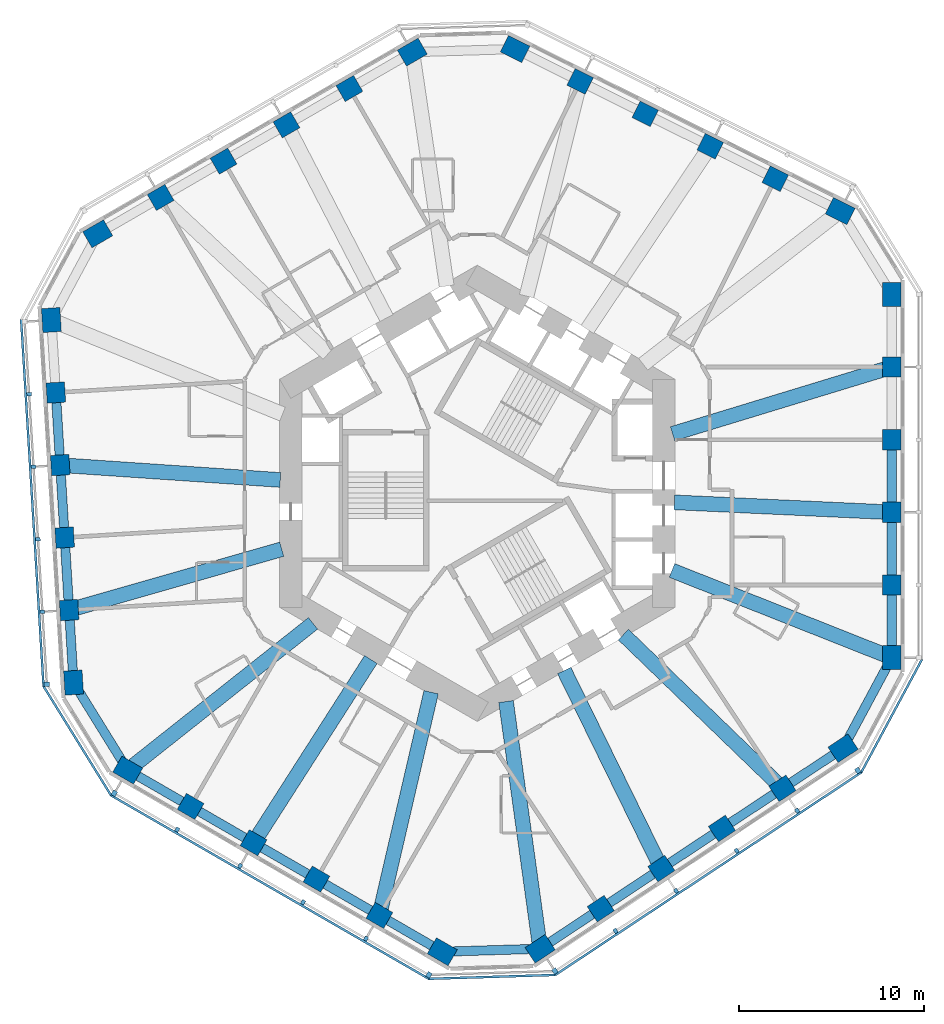
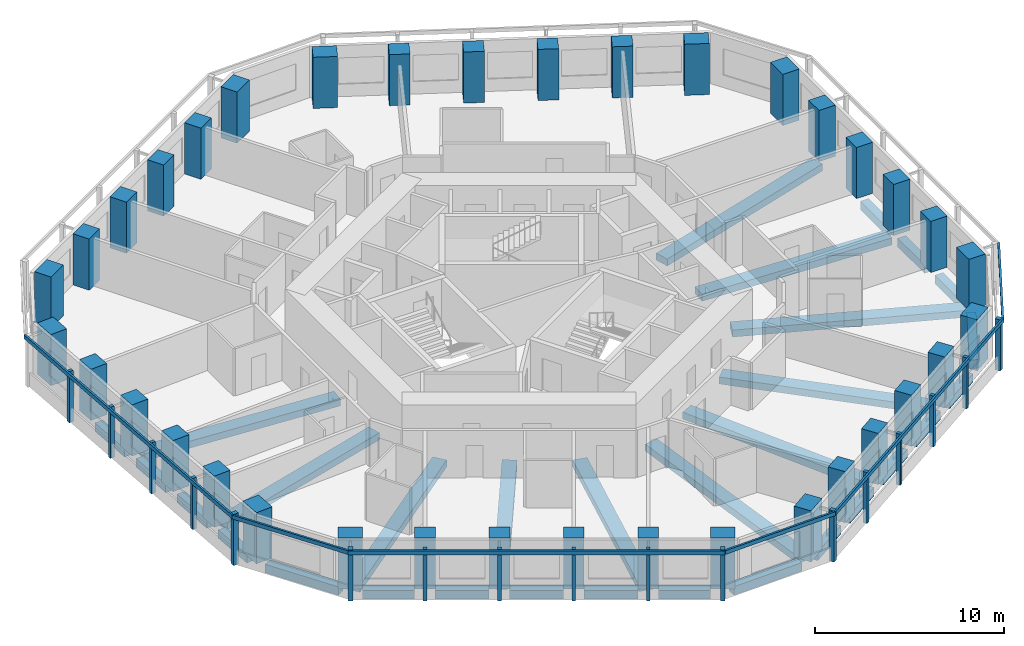
# One storey, part 1 of 11: 36 columns, 31 beams, 23 members, 6 elements without a shape of their own.
"""IFC4 building model written with IfcOpenShell, lengths in metres."""

from ifc_helpers import new_model, si_unit, direction, frame, origin, origin_2d, place, context, subcontext, project, spatial, rectangle, extrude, material, material_profile, profile_set, type_object, element, aggregate, save


model = new_model("IFC4")

# Units and contexts
model_context = context("Model", 3, precision=1e-05, world=origin(), true_north=direction((0.0, 1.0)))
body_context = subcontext(model_context, "Body", "Model", "MODEL_VIEW")
ifc_project = project(units=[si_unit("LENGTHUNIT", "METRE"), si_unit("AREAUNIT", "SQUARE_METRE"), si_unit("VOLUMEUNIT", "CUBIC_METRE"), si_unit("PLANEANGLEUNIT", "RADIAN"), si_unit("MASSUNIT", "GRAM", prefix="KILO")], contexts=[model_context])

# Site, building, storey
site_placement = place(None, origin())
site = spatial("IfcSite", under=ifc_project, at=site_placement, CompositionType="ELEMENT")
building_placement = place(site_placement, origin())
building = spatial("IfcBuilding", under=site, at=building_placement, Name="Vanh Sen Convention Tower", CompositionType="ELEMENT")
storey_placement = place(building_placement, frame((0.0, 0.0, 100.10009765625)))
storey = spatial("IfcBuildingStorey", under=building, at=storey_placement, Name="L23", CompositionType="ELEMENT", Elevation=100.10009765625)

# Columns
ifc_material_1 = material(Name="Concrete C80/95", Category="concrete")
ifc_material_profile_1 = material_profile(ifc_material_1, rectangle(XDim=1.10009765625, YDim=1.0, at=origin_2d()), Name="RC 1100X1000")
ifc_profile_set_1 = profile_set([ifc_material_profile_1], Name="Concrete C80/95")
column_type_1 = type_object("IfcColumnType", Name="Facade column 1100 x 1000 C80/95", PredefinedType="COLUMN", material=ifc_profile_set_1)
for number, where, z_axis, x_axis, name in (
    (1, (22.449951171875, -4.964599609375, 0.0), (0.0, 0.0, 1.0), (0.0, 1.0, 0.0), "Facade column 02 L23"),
    (2, (22.449951171875, -1.030029296875, 0.0), (0.0, 0.0, 1.0), (0.0, 1.0, 0.0), "Facade column 03 L23"),
    (3, (22.449951171875, 2.904541015625, 0.0), (0.0, 0.0, 1.0), (0.0, 1.0, 0.0), "Facade column 04 L23"),
    (4, (22.449951171875, 6.839111328125, 0.0), (0.0, 0.0, 1.0), (0.0, 1.0, 0.0), "Facade column 05 L23"),
    (5, (16.1376953125, 17.039794921875, 0.0), (0.0, 0.0, 1.0), (-0.894934361602, 0.44619781311, 0.0), "Facade column 08 L23"),
    (6, (12.616455078125, 18.79541015625, 0.0), (0.0, 0.0, 1.0), (-0.894934361602, 0.44619781311, 0.0), "Facade column 09 L23"),
    (7, (9.09521484375, 20.55078125, 0.0), (0.0, 0.0, 1.0), (-0.894934361602, 0.44619781311, 0.0), "Facade column 10 L23"),
    (8, (5.57421875, 22.306396484375, 0.0), (0.0, 0.0, 1.0), (-0.894934361602, 0.44619781311, 0.0), "Facade column 11 L23"),
    (9, (-6.925537109375, 21.924560546875, 0.0), (0.0, 0.0, 1.0), (-0.866025403784, -0.5, 0.0), "Facade column 14 L23"),
    (10, (-10.3330078125, 19.957275390625, 0.0), (0.0, 0.0, 1.0), (-0.866025403784, -0.5, 0.0), "Facade column 15 L23"),
    (11, (-13.740478515625, 17.989990234375, 0.0), (0.0, 0.0, 1.0), (-0.866025403784, -0.5, 0.0), "Facade column 16 L23"),
    (12, (-17.14794921875, 16.022705078125, 0.0), (0.0, 0.0, 1.0), (-0.866025403784, -0.5, 0.0), "Facade column 17 L23"),
    (13, (-22.82568359375, 5.455810546875, 0.0), (0.0, 0.0, 1.0), (0.061048539535, -0.998134798422, 0.0), "Facade column 20 L23"),
    (14, (-22.58544921875, 1.528564453125, 0.0), (0.0, 0.0, 1.0), (0.061048539535, -0.998134798422, 0.0), "Facade column 21 L23"),
    (15, (-22.34521484375, -2.398681640625, 0.0), (0.0, 0.0, 1.0), (0.061048539535, -0.998134798422, 0.0), "Facade column 22 L23"),
    (16, (-22.10498046875, -6.325927734375, 0.0), (0.0, 0.0, 1.0), (0.061048539535, -0.998134798422, 0.0), "Facade column 23 L23"),
    (17, (-15.5244140625, -16.9599609375, 0.0), (0.0, 0.0, 1.0), (0.866025403784, -0.5, 0.0), "Facade column 26 L23"),
    (18, (-12.1171875, -18.92724609375, 0.0), (0.0, 0.0, 1.0), (0.866025403784, -0.5, 0.0), "Facade column 27 L23"),
    (19, (-8.709716796875, -20.89453125, 0.0), (0.0, 0.0, 1.0), (0.866025403784, -0.5, 0.0), "Facade column 28 L23"),
    (20, (-5.302001953125, -22.86181640625, 0.0), (0.0, 0.0, 1.0), (0.866025403784, -0.5, 0.0), "Facade column 29 L23"),
    (21, (6.68798828125, -22.49560546875, 0.0), (0.0, 0.0, 1.0), (0.833885822067, 0.551936985312, 0.0), "Facade column 32 L23"),
    (22, (9.968994140625, -20.323974609375, 0.0), (0.0, 0.0, 1.0), (0.833885822067, 0.551936985312, 0.0), "Facade column 33 L23"),
    (23, (13.25, -18.152099609375, 0.0), (0.0, 0.0, 1.0), (0.833885822067, 0.551936985312, 0.0), "Facade column 34 L23"),
    (24, (16.531005859375, -15.980712890625, 0.0), (0.0, 0.0, 1.0), (0.833885822067, 0.551936985312, 0.0), "Facade column 35 L23"),
):
    element("IfcColumn", number, at=place(storey_placement, frame(where, z_axis=z_axis, x_axis=x_axis)), inside=storey, type_object=column_type_1, Name=name, PredefinedType="COLUMN", context=body_context, shape_type="SweptSolid", body=[
        extrude(rectangle(XDim=1.10009765625, YDim=1.0, at=origin_2d()), origin(), (0.0, 0.0, 1.0), 3.2998046875),
    ])
ifc_material_profile_2 = material_profile(ifc_material_1, rectangle(XDim=1.300048828125, YDim=1.0, at=origin_2d()), Name="RC 1300X1000")
ifc_profile_set_2 = profile_set([ifc_material_profile_2], Name="Concrete C80/95")
column_type_2 = type_object("IfcColumnType", Name="Facade corner column 1300 x 1000 C80/95", PredefinedType="COLUMN", material=ifc_profile_set_2)
for number, where, z_axis, x_axis, name in (
    (25, (22.449951171875, -8.899169921875, 0.0), (0.0, 0.0, 1.0), (0.0, 1.0, 0.0), "Facade column 01 L23"),
    (26, (22.449951171875, 10.773681640625, 0.0), (0.0, 0.0, 1.0), (0.0, 1.0, 0.0), "Facade column 06 L23"),
    (27, (19.658935546875, 15.2841796875, 0.0), (0.0, 0.0, 1.0), (-0.894934361602, 0.44619781311, 0.0), "Facade column 07 L23"),
    (28, (2.052978515625, 24.06201171875, 0.0), (0.0, 0.0, 1.0), (-0.894934361602, 0.44619781311, 0.0), "Facade column 12 L23"),
    (29, (-3.51806640625, 23.891845703125, 0.0), (0.0, 0.0, 1.0), (-0.866025403784, -0.5, 0.0), "Facade column 13 L23"),
    (30, (-20.555419921875, 14.055419921875, 0.0), (0.0, 0.0, 1.0), (-0.866025403784, -0.5, 0.0), "Facade column 18 L23"),
    (31, (-23.06591796875, 9.383056640625, 0.0), (0.0, 0.0, 1.0), (0.061048539535, -0.998134798422, 0.0), "Facade column 19 L23"),
    (32, (-21.86474609375, -10.253173828125, 0.0), (0.0, 0.0, 1.0), (0.061048539535, -0.998134798422, 0.0), "Facade column 24 L23"),
    (33, (-18.931884765625, -14.99267578125, 0.0), (0.0, 0.0, 1.0), (0.866025403784, -0.5, 0.0), "Facade column 25 L23"),
    (34, (-1.894775390625, -24.8291015625, 0.0), (0.0, 0.0, 1.0), (0.866025403784, -0.5, 0.0), "Facade column 30 L23"),
    (35, (3.406982421875, -24.6669921875, 0.0), (0.0, 0.0, 1.0), (0.833885822067, 0.551936985312, 0.0), "Facade column 31 L23"),
    (36, (19.81201171875, -13.808837890625, 0.0), (0.0, 0.0, 1.0), (0.833885822067, 0.551936985312, 0.0), "Facade column 36 L23"),
):
    element("IfcColumn", number, at=place(storey_placement, frame(where, z_axis=z_axis, x_axis=x_axis)), inside=storey, type_object=column_type_2, Name=name, PredefinedType="COLUMN", context=body_context, shape_type="SweptSolid", body=[
        extrude(rectangle(XDim=1.300048828125, YDim=1.0, at=origin_2d()), origin(), (0.0, 0.0, 1.0), 3.2998046875),
    ])

# Curtain wall, member
ifc_material_2 = material(Name="Concrete C50/60", Category="concrete")
curtain_wall_type = type_object("IfcCurtainWallType", Name="Outer skin hotel zone", PredefinedType="NOTDEFINED", material=ifc_material_2)
curtain_wall_1_placement = place(storey_placement, origin())
curtain_wall_1 = element("IfcCurtainWall", 37, at=curtain_wall_1_placement, inside=storey, type_object=curtain_wall_type, Name="OUTER SKIN W L23", PredefinedType="NOTDEFINED")
ifc_material_profile_3 = material_profile(ifc_material_2, rectangle(XDim=0.25, YDim=0.300048828125, at=origin_2d()), Name="Outer skin precast corner fin 250 x 300")
ifc_profile_set_3 = profile_set([ifc_material_profile_3], Name="Concrete C50/60")
member_type_1 = type_object("IfcMemberType", Name="Outer skin precast corner fin 250 x 300", PredefinedType="MULLION", material=ifc_profile_set_3)
member_1_placement = place(storey_placement, frame((-23.31201171875, -10.341796875, 0.0), z_axis=(0.0, 0.0, 1.0), x_axis=(0.061048539535, -0.998134798422, 0.0)))
member_1 = element("IfcMember", 38, at=member_1_placement, type_object=member_type_1, Name="OUTER SKIN CORNER FIN 6 W L23", PredefinedType="MULLION", context=body_context, shape_type="SweptSolid", body=[
    extrude(rectangle(XDim=0.25, YDim=0.300048828125, at=origin_2d()), origin(), (0.0, 0.0, 1.0), 3.2998046875),
])

# Curtain wall, members
curtain_wall_2_placement = place(storey_placement, origin())
curtain_wall_2 = element("IfcCurtainWall", 39, at=curtain_wall_2_placement, inside=storey, type_object=curtain_wall_type, Name="OUTER SKIN SW L23", PredefinedType="NOTDEFINED")
member_2_placement = place(storey_placement, frame((-19.656982421875, -16.248291015625, 0.0), z_axis=(0.0, 0.0, 1.0), x_axis=(0.866025403784, -0.5, 0.0)))
member_2 = element("IfcMember", 40, at=member_2_placement, type_object=member_type_1, Name="OUTER SKIN CORNER FIN 1 SW L23", PredefinedType="MULLION", context=body_context, shape_type="SweptSolid", body=[
    extrude(rectangle(XDim=0.25, YDim=0.300048828125, at=origin_2d()), origin(), (0.0, 0.0, 1.0), 3.2998046875),
])
member_3_placement = place(storey_placement, frame((-2.61962890625, -26.084716796875, 0.0), z_axis=(0.0, 0.0, 1.0), x_axis=(0.866025403784, -0.5, 0.0)))
member_3 = element("IfcMember", 41, at=member_3_placement, type_object=member_type_1, Name="OUTER SKIN CORNER FIN 6 SW L23", PredefinedType="MULLION", context=body_context, shape_type="SweptSolid", body=[
    extrude(rectangle(XDim=0.25, YDim=0.300048828125, at=origin_2d()), origin(), (0.0, 0.0, 1.0), 3.2998046875),
])

curtain_wall_3_placement = place(storey_placement, origin())
curtain_wall_3 = element("IfcCurtainWall", 42, at=curtain_wall_3_placement, inside=storey, type_object=curtain_wall_type, Name="OUTER SKIN SE L23", PredefinedType="NOTDEFINED")
member_4_placement = place(storey_placement, frame((4.207275390625, -25.876220703125, 0.0), z_axis=(0.0, 0.0, 1.0), x_axis=(0.833885822067, 0.551936985312, 0.0)))
member_4 = element("IfcMember", 43, at=member_4_placement, type_object=member_type_1, Name="OUTER SKIN CORNER FIN 1 SE L23", PredefinedType="MULLION", context=body_context, shape_type="SweptSolid", body=[
    extrude(rectangle(XDim=0.25, YDim=0.300048828125, at=origin_2d()), origin(), (0.0, 0.0, 1.0), 3.2998046875),
])
member_5_placement = place(storey_placement, frame((20.6123046875, -15.01806640625, 0.0), z_axis=(0.0, 0.0, 1.0), x_axis=(0.833885822067, 0.551936985312, 0.0)))
member_5 = element("IfcMember", 44, at=member_5_placement, type_object=member_type_1, Name="OUTER SKIN CORNER FIN 6 SE L23", PredefinedType="MULLION", context=body_context, shape_type="SweptSolid", body=[
    extrude(rectangle(XDim=0.25, YDim=0.300048828125, at=origin_2d()), origin(), (0.0, 0.0, 1.0), 3.2998046875),
])

# Member
ifc_material_profile_4 = material_profile(ifc_material_2, rectangle(XDim=0.199951171875, YDim=0.25, at=origin_2d()), Name="Outer skin precast fin 200 x 250")
ifc_profile_set_4 = profile_set([ifc_material_profile_4], Name="Concrete C50/60")
member_type_2 = type_object("IfcMemberType", Name="Outer skin precast fin 200 x 250", PredefinedType="MULLION", material=ifc_profile_set_4)
member_6_placement = place(storey_placement, frame((-24.27294921875, 5.3671875, 0.0), z_axis=(0.0, 0.0, 1.0), x_axis=(0.061048539535, -0.998134798422, 0.0)))
member_6 = element("IfcMember", 45, at=member_6_placement, type_object=member_type_2, Name="OUTER SKIN fin 2 W L23", PredefinedType="MULLION", context=body_context, shape_type="SweptSolid", body=[
    extrude(rectangle(XDim=0.199951171875, YDim=0.25, at=origin_2d()), origin(), (0.0, 0.0, 1.0), 3.2998046875),
])

member_7_placement = place(storey_placement, frame((-24.03271484375, 1.440185546875, 0.0), z_axis=(0.0, 0.0, 1.0), x_axis=(0.061048539535, -0.998134798422, 0.0)))
member_7 = element("IfcMember", 46, at=member_7_placement, type_object=member_type_2, Name="OUTER SKIN fin 3 W L23", PredefinedType="MULLION", context=body_context, shape_type="SweptSolid", body=[
    extrude(rectangle(XDim=0.199951171875, YDim=0.25, at=origin_2d()), origin(), (0.0, 0.0, 1.0), 3.2998046875),
])

member_8_placement = place(storey_placement, frame((-23.79248046875, -2.4873046875, 0.0), z_axis=(0.0, 0.0, 1.0), x_axis=(0.061048539535, -0.998134798422, 0.0)))
member_8 = element("IfcMember", 47, at=member_8_placement, type_object=member_type_2, Name="OUTER SKIN fin 4 W L23", PredefinedType="MULLION", context=body_context, shape_type="SweptSolid", body=[
    extrude(rectangle(XDim=0.199951171875, YDim=0.25, at=origin_2d()), origin(), (0.0, 0.0, 1.0), 3.2998046875),
])

member_9_placement = place(storey_placement, frame((-23.55224609375, -6.414306640625, 0.0), z_axis=(0.0, 0.0, 1.0), x_axis=(0.061048539535, -0.998134798422, 0.0)))
member_9 = element("IfcMember", 48, at=member_9_placement, type_object=member_type_2, Name="OUTER SKIN fin 5 W L23", PredefinedType="MULLION", context=body_context, shape_type="SweptSolid", body=[
    extrude(rectangle(XDim=0.199951171875, YDim=0.25, at=origin_2d()), origin(), (0.0, 0.0, 1.0), 3.2998046875),
])

member_10_placement = place(storey_placement, frame((-16.24951171875, -18.2158203125, 0.0), z_axis=(0.0, 0.0, 1.0), x_axis=(0.866025403784, -0.5, 0.0)))
member_10 = element("IfcMember", 49, at=member_10_placement, type_object=member_type_2, Name="OUTER SKIN fin 2 SW L23", PredefinedType="MULLION", context=body_context, shape_type="SweptSolid", body=[
    extrude(rectangle(XDim=0.199951171875, YDim=0.25, at=origin_2d()), origin(), (0.0, 0.0, 1.0), 3.2998046875),
])

member_11_placement = place(storey_placement, frame((-12.842041015625, -20.182861328125, 0.0), z_axis=(0.0, 0.0, 1.0), x_axis=(0.866025403784, -0.5, 0.0)))
member_11 = element("IfcMember", 50, at=member_11_placement, type_object=member_type_2, Name="OUTER SKIN fin 3 SW L23", PredefinedType="MULLION", context=body_context, shape_type="SweptSolid", body=[
    extrude(rectangle(XDim=0.199951171875, YDim=0.25, at=origin_2d()), origin(), (0.0, 0.0, 1.0), 3.2998046875),
])

member_12_placement = place(storey_placement, frame((-9.4345703125, -22.150146484375, 0.0), z_axis=(0.0, 0.0, 1.0), x_axis=(0.866025403784, -0.5, 0.0)))
member_12 = element("IfcMember", 51, at=member_12_placement, type_object=member_type_2, Name="OUTER SKIN fin 4 SW L23", PredefinedType="MULLION", context=body_context, shape_type="SweptSolid", body=[
    extrude(rectangle(XDim=0.199951171875, YDim=0.25, at=origin_2d()), origin(), (0.0, 0.0, 1.0), 3.2998046875),
])

member_13_placement = place(storey_placement, frame((-6.027099609375, -24.117431640625, 0.0), z_axis=(0.0, 0.0, 1.0), x_axis=(0.866025403784, -0.5, 0.0)))
member_13 = element("IfcMember", 52, at=member_13_placement, type_object=member_type_2, Name="OUTER SKIN fin 5 SW L23", PredefinedType="MULLION", context=body_context, shape_type="SweptSolid", body=[
    extrude(rectangle(XDim=0.199951171875, YDim=0.25, at=origin_2d()), origin(), (0.0, 0.0, 1.0), 3.2998046875),
])

member_14_placement = place(storey_placement, frame((7.48828125, -23.70458984375, 0.0), z_axis=(0.0, 0.0, 1.0), x_axis=(0.833885822067, 0.551936985312, 0.0)))
member_14 = element("IfcMember", 53, at=member_14_placement, type_object=member_type_2, Name="OUTER SKIN fin 2 SE L23", PredefinedType="MULLION", context=body_context, shape_type="SweptSolid", body=[
    extrude(rectangle(XDim=0.199951171875, YDim=0.25, at=origin_2d()), origin(), (0.0, 0.0, 1.0), 3.2998046875),
])

member_15_placement = place(storey_placement, frame((10.769287109375, -21.532958984375, 0.0), z_axis=(0.0, 0.0, 1.0), x_axis=(0.833885822067, 0.551936985312, 0.0)))
member_15 = element("IfcMember", 54, at=member_15_placement, type_object=member_type_2, Name="OUTER SKIN fin 3 SE L23", PredefinedType="MULLION", context=body_context, shape_type="SweptSolid", body=[
    extrude(rectangle(XDim=0.199951171875, YDim=0.25, at=origin_2d()), origin(), (0.0, 0.0, 1.0), 3.2998046875),
])

member_16_placement = place(storey_placement, frame((14.05029296875, -19.361328125, 0.0), z_axis=(0.0, 0.0, 1.0), x_axis=(0.833885822067, 0.551936985312, 0.0)))
member_16 = element("IfcMember", 55, at=member_16_placement, type_object=member_type_2, Name="OUTER SKIN fin 4 SE L23", PredefinedType="MULLION", context=body_context, shape_type="SweptSolid", body=[
    extrude(rectangle(XDim=0.199951171875, YDim=0.25, at=origin_2d()), origin(), (0.0, 0.0, 1.0), 3.2998046875),
])

member_17_placement = place(storey_placement, frame((17.331298828125, -17.189697265625, 0.0), z_axis=(0.0, 0.0, 1.0), x_axis=(0.833885822067, 0.551936985312, 0.0)))
member_17 = element("IfcMember", 56, at=member_17_placement, type_object=member_type_2, Name="OUTER SKIN fin 5 SE L23", PredefinedType="MULLION", context=body_context, shape_type="SweptSolid", body=[
    extrude(rectangle(XDim=0.199951171875, YDim=0.25, at=origin_2d()), origin(), (0.0, 0.0, 1.0), 3.2998046875),
])

ifc_material_profile_5 = material_profile(ifc_material_2, rectangle(XDim=0.1201171875, YDim=0.25, at=origin_2d()), Name="Outer skin precast spandrel band 250 x 120")
ifc_profile_set_5 = profile_set([ifc_material_profile_5], Name="Concrete C50/60")
member_type_3 = type_object("IfcMemberType", Name="Outer skin precast spandrel band 250 x 120", PredefinedType="USERDEFINED", material=ifc_profile_set_5)
member_18_placement = place(storey_placement, frame((-24.705322265625, 9.408203125, 3.1748046875), z_axis=(0.061050017989, -0.998134707995, 0.0), x_axis=(0.998134707995, 0.061050017989, 0.0)))
member_18 = element("IfcMember", 57, at=member_18_placement, type_object=member_type_3, Name="OUTER SKIN spandrel band W L23", ObjectType="TRANSOM", PredefinedType="USERDEFINED", context=body_context, shape_type="SweptSolid", body=[
    extrude(rectangle(XDim=0.1201171875, YDim=0.25, at=origin_2d()), origin(), (0.0, 0.0, 1.0), 19.923095703125),
])

aggregate(curtain_wall_1, [member_6, member_7, member_8, member_9, member_1, member_18])

# Curtain wall, member
curtain_wall_4_placement = place(storey_placement, origin())
curtain_wall_4 = element("IfcCurtainWall", 58, at=curtain_wall_4_placement, inside=storey, type_object=curtain_wall_type, Name="OUTER SKIN CH4 L23", PredefinedType="NOTDEFINED")
member_19_placement = place(storey_placement, frame((-23.49072265625, -10.4521484375, 3.1748046875), z_axis=(0.526196095141, -0.850363257354, 0.0), x_axis=(0.850363257354, 0.526196095141, 0.0)))
member_19 = element("IfcMember", 59, at=member_19_placement, type_object=member_type_3, Name="OUTER SKIN spandrel band CH4 L23", ObjectType="TRANSOM", PredefinedType="USERDEFINED", context=body_context, shape_type="SweptSolid", body=[
    extrude(rectangle(XDim=0.1201171875, YDim=0.25, at=origin_2d()), origin(), (0.0, 0.0, 1.0), 6.946044921875),
])
aggregate(curtain_wall_4, [member_19])

# Member
member_20_placement = place(storey_placement, frame((-19.85791015625, -16.34619140625, 3.1748046875), z_axis=(0.866028047459, -0.499995420993, 0.0), x_axis=(0.499995420993, 0.866028047459, 0.0)))
member_20 = element("IfcMember", 60, at=member_20_placement, type_object=member_type_3, Name="OUTER SKIN spandrel band SW L23", ObjectType="TRANSOM", PredefinedType="USERDEFINED", context=body_context, shape_type="SweptSolid", body=[
    extrude(rectangle(XDim=0.1201171875, YDim=0.25, at=origin_2d()), origin(), (0.0, 0.0, 1.0), 19.923095703125),
])

aggregate(curtain_wall_2, [member_2, member_10, member_11, member_12, member_13, member_3, member_20])

# Curtain wall, member
curtain_wall_5_placement = place(storey_placement, origin())
curtain_wall_5 = element("IfcCurtainWall", 61, at=curtain_wall_5_placement, inside=storey, type_object=curtain_wall_type, Name="OUTER SKIN CH5 L23", PredefinedType="NOTDEFINED")
member_21_placement = place(storey_placement, frame((-2.61328125, -26.294677734375, 3.1748046875), z_axis=(0.99953396928, 0.030526124156, 0.0), x_axis=(-0.030526124156, 0.99953396928, 0.0)))
member_21 = element("IfcMember", 62, at=member_21_placement, type_object=member_type_3, Name="OUTER SKIN spandrel band CH5 L23", ObjectType="TRANSOM", PredefinedType="USERDEFINED", context=body_context, shape_type="SweptSolid", body=[
    extrude(rectangle(XDim=0.1201171875, YDim=0.25, at=origin_2d()), origin(), (0.0, 0.0, 1.0), 6.830078125),
])
aggregate(curtain_wall_5, [member_21])

# Member
member_22_placement = place(storey_placement, frame((4.205078125, -26.099609375, 3.1748046875), z_axis=(0.833883851182, 0.551939962984, 0.0), x_axis=(-0.551939962984, 0.833883851182, 0.0)))
member_22 = element("IfcMember", 63, at=member_22_placement, type_object=member_type_3, Name="OUTER SKIN spandrel band SE L23", ObjectType="TRANSOM", PredefinedType="USERDEFINED", context=body_context, shape_type="SweptSolid", body=[
    extrude(rectangle(XDim=0.1201171875, YDim=0.25, at=origin_2d()), origin(), (0.0, 0.0, 1.0), 19.923095703125),
])

aggregate(curtain_wall_3, [member_4, member_14, member_15, member_16, member_17, member_5, member_22])

# Curtain wall, member
curtain_wall_6_placement = place(storey_placement, origin())
curtain_wall_6 = element("IfcCurtainWall", 64, at=curtain_wall_6_placement, inside=storey, type_object=curtain_wall_type, Name="OUTER SKIN CH6 L23", PredefinedType="NOTDEFINED")
member_23_placement = place(storey_placement, frame((20.797119140625, -15.117431640625, 3.1748046875), z_axis=(0.473324148816, 0.880888330123, 0.0), x_axis=(-0.880888330123, 0.473324148816, 0.0)))
member_23 = element("IfcMember", 65, at=member_23_placement, type_object=member_type_3, Name="OUTER SKIN spandrel band CH6 L23", ObjectType="TRANSOM", PredefinedType="USERDEFINED", context=body_context, shape_type="SweptSolid", body=[
    extrude(rectangle(XDim=0.1201171875, YDim=0.25, at=origin_2d()), origin(), (0.0, 0.0, 1.0), 6.9462890625),
])
aggregate(curtain_wall_6, [member_23])

# Beams
ifc_material_3 = material(Name="Concrete C50/60", Category="concrete")
ifc_material_profile_6 = material_profile(ifc_material_3, rectangle(XDim=0.800048828125, YDim=0.449951171875, at=origin_2d()), Name="RC 800X450")
ifc_profile_set_6 = profile_set([ifc_material_profile_6], Name="Concrete C50/60")
beam_type_1 = type_object("IfcBeamType", Name="Radial floor beam 800 x 450", PredefinedType="BEAM", material=ifc_profile_set_6)
beam_1_placement = place(storey_placement, frame((22.10205078125, -8.76123046875, -0.47509765625), z_axis=(-0.929623737454, 0.368510117584, 0.0), x_axis=(-0.368510117584, -0.929623737454, 0.0)))
element("IfcBeam", 66, at=beam_1_placement, inside=storey, type_object=beam_type_1, Name="Radial beam 01 L23", PredefinedType="BEAM", context=body_context, shape_type="SweptSolid", body=[
    extrude(rectangle(XDim=0.800048828125, YDim=0.449951171875, at=origin_2d()), origin(), (0.0, 0.0, 1.0), 12.4287109375),
])
beam_2_placement = place(storey_placement, frame((21.973388671875, -1.00830078125, -0.47509765625), z_axis=(-0.998949085964, 0.045833651953, 0.0), x_axis=(-0.045833651953, -0.998949085964, 0.0)))
element("IfcBeam", 67, at=beam_2_placement, inside=storey, type_object=beam_type_1, Name="Radial beam 02 L23", PredefinedType="BEAM", context=body_context, shape_type="SweptSolid", body=[
    extrude(rectangle(XDim=0.800048828125, YDim=0.449951171875, at=origin_2d()), origin(), (0.0, 0.0, 1.0), 11.30859375),
])
beam_3_placement = place(storey_placement, frame((22.0712890625, 6.7236328125, -0.47509765625), z_axis=(-0.956599525752, -0.29140581211, 0.0), x_axis=(0.29140581211, -0.956599525752, 0.0)))
element("IfcBeam", 68, at=beam_3_placement, inside=storey, type_object=beam_type_1, Name="Radial beam 03 L23", PredefinedType="BEAM", context=body_context, shape_type="SweptSolid", body=[
    extrude(rectangle(XDim=0.800048828125, YDim=0.449951171875, at=origin_2d()), origin(), (0.0, 0.0, 1.0), 12.01416015625),
])
beam_4_placement = place(storey_placement, frame((-22.138916015625, 1.498291015625, -0.47509765625), z_axis=(0.997717468066, -0.0675266904, 0.0), x_axis=(0.0675266904, 0.997717468066, 0.0)))
element("IfcBeam", 69, at=beam_4_placement, inside=storey, type_object=beam_type_1, Name="Radial beam 11 L23", PredefinedType="BEAM", context=body_context, shape_type="SweptSolid", body=[
    extrude(rectangle(XDim=0.800048828125, YDim=0.449951171875, at=origin_2d()), origin(), (0.0, 0.0, 1.0), 11.4970703125),
])
beam_5_placement = place(storey_placement, frame((-21.70263671875, -6.210693359375, -0.47509765625), z_axis=(0.96140993594, 0.275119855837, 0.0), x_axis=(-0.275119855837, 0.96140993594, 0.0)))
element("IfcBeam", 70, at=beam_5_placement, inside=storey, type_object=beam_type_1, Name="Radial beam 12 L23", PredefinedType="BEAM", context=body_context, shape_type="SweptSolid", body=[
    extrude(rectangle(XDim=0.800048828125, YDim=0.449951171875, at=origin_2d()), origin(), (0.0, 0.0, 1.0), 11.563720703125),
])
beam_6_placement = place(storey_placement, frame((-18.638671875, -14.76025390625, -0.47509765625), z_axis=(0.78395420425, 0.620818657612, 0.0), x_axis=(-0.620818657612, 0.78395420425, 0.0)))
element("IfcBeam", 71, at=beam_6_placement, inside=storey, type_object=beam_type_1, Name="Radial beam 13 L23", PredefinedType="BEAM", context=body_context, shape_type="SweptSolid", body=[
    extrude(rectangle(XDim=0.800048828125, YDim=0.449951171875, at=origin_2d()), origin(), (0.0, 0.0, 1.0), 12.428955078125),
])
beam_7_placement = place(storey_placement, frame((-11.85986328125, -18.525390625, -0.47509765625), z_axis=(0.539160288654, 0.842203172126, 0.0), x_axis=(-0.842203172126, 0.539160288654, 0.0)))
element("IfcBeam", 72, at=beam_7_placement, inside=storey, type_object=beam_type_1, Name="Radial beam 14 L23", PredefinedType="BEAM", context=body_context, shape_type="SweptSolid", body=[
    extrude(rectangle(XDim=0.800048828125, YDim=0.449951171875, at=origin_2d()), origin(), (0.0, 0.0, 1.0), 11.30859375),
])
beam_8_placement = place(storey_placement, frame((-5.212646484375, -22.476318359375, -0.47509765625), z_axis=(0.225927931957, 0.974144018902, 0.0), x_axis=(-0.974144018902, 0.225927931957, 0.0)))
element("IfcBeam", 73, at=beam_8_placement, inside=storey, type_object=beam_type_1, Name="Radial beam 15 L23", PredefinedType="BEAM", context=body_context, shape_type="SweptSolid", body=[
    extrude(rectangle(XDim=0.800048828125, YDim=0.449951171875, at=origin_2d()), origin(), (0.0, 0.0, 1.0), 12.01416015625),
])
beam_9_placement = place(storey_placement, frame((3.35791015625, -24.312744140625, -0.47509765625), z_axis=(-0.136801873088, 0.990598428991, 0.0), x_axis=(-0.990598428991, -0.136801873088, 0.0)))
element("IfcBeam", 74, at=beam_9_placement, inside=storey, type_object=beam_type_1, Name="Radial beam 16 L23", PredefinedType="BEAM", context=body_context, shape_type="SweptSolid", body=[
    extrude(rectangle(XDim=0.800048828125, YDim=0.449951171875, at=origin_2d()), origin(), (0.0, 0.0, 1.0), 13.159912109375),
])
beam_10_placement = place(storey_placement, frame((9.77197265625, -19.922119140625, -0.47509765625), z_axis=(-0.440388501121, 0.89780731122, 0.0), x_axis=(-0.89780731122, -0.440388501121, 0.0)))
element("IfcBeam", 75, at=beam_10_placement, inside=storey, type_object=beam_type_1, Name="Radial beam 17 L23", PredefinedType="BEAM", context=body_context, shape_type="SweptSolid", body=[
    extrude(rectangle(XDim=0.800048828125, YDim=0.449951171875, at=origin_2d()), origin(), (0.0, 0.0, 1.0), 11.497314453125),
])
beam_11_placement = place(storey_placement, frame((16.22998046875, -15.689697265625, -0.47509765625), z_axis=(-0.718965868582, 0.695045379679, 0.0), x_axis=(-0.695045379679, -0.718965868582, 0.0)))
element("IfcBeam", 76, at=beam_11_placement, inside=storey, type_object=beam_type_1, Name="Radial beam 18 L23", PredefinedType="BEAM", context=body_context, shape_type="SweptSolid", body=[
    extrude(rectangle(XDim=0.800048828125, YDim=0.449951171875, at=origin_2d()), origin(), (0.0, 0.0, 1.0), 11.563720703125),
])
ifc_material_profile_7 = material_profile(ifc_material_3, rectangle(XDim=0.5, YDim=0.550048828125, at=origin_2d()), Name="RC 500X550")
ifc_profile_set_7 = profile_set([ifc_material_profile_7], Name="Concrete C50/60")
beam_type_2 = type_object("IfcBeamType", Name="Spandrel beam 500 x 550", PredefinedType="SPANDREL", material=ifc_profile_set_7)
beam_12_placement = place(storey_placement, frame((22.449951171875, -8.254150390625, -0.525146484375), z_axis=(0.0, 1.0, 0.0), x_axis=(-1.0, 0.0, 0.0)))
element("IfcBeam", 77, at=beam_12_placement, inside=storey, type_object=beam_type_2, Name="Spandrel beam 01 L23", PredefinedType="SPANDREL", context=body_context, shape_type="SweptSolid", body=[
    extrude(rectangle(XDim=0.5, YDim=0.550048828125, at=origin_2d()), origin(), (0.0, 0.0, 1.0), 2.74462890625),
])
beam_13_placement = place(storey_placement, frame((22.449951171875, -4.419677734375, -0.525146484375), z_axis=(0.0, 1.0, 0.0), x_axis=(-1.0, 0.0, 0.0)))
element("IfcBeam", 78, at=beam_13_placement, inside=storey, type_object=beam_type_2, Name="Spandrel beam 02 L23", PredefinedType="SPANDREL", context=body_context, shape_type="SweptSolid", body=[
    extrude(rectangle(XDim=0.5, YDim=0.550048828125, at=origin_2d()), origin(), (0.0, 0.0, 1.0), 2.844482421875),
])
for number, where, z_axis, x_axis, name in (
    (79, (22.449951171875, -0.485107421875, -0.525146484375), (0.0, 1.0, 0.0), (-1.0, 0.0, 0.0), "Spandrel beam 03 L23"),
    (80, (-22.792236328125, 4.911865234375, -0.525146484375), (0.061021069303, -0.998136478194, 0.0), (0.998136478194, 0.061021069303, 0.0), "Spandrel beam 20 L23"),
    (81, (-22.552001953125, 0.984619140625, -0.525146484375), (0.061021069303, -0.998136478194, 0.0), (0.998136478194, 0.061021069303, 0.0), "Spandrel beam 21 L23"),
    (82, (-22.31201171875, -2.942626953125, -0.525146484375), (0.061106573347, -0.998131247228, 0.0), (0.998131247228, 0.061106573347, 0.0), "Spandrel beam 22 L23"),
):
    element("IfcBeam", number, at=place(storey_placement, frame(where, z_axis=z_axis, x_axis=x_axis)), inside=storey, type_object=beam_type_2, Name=name, PredefinedType="SPANDREL", context=body_context, shape_type="SweptSolid", body=[
        extrude(rectangle(XDim=0.5, YDim=0.550048828125, at=origin_2d()), origin(), (0.0, 0.0, 1.0), 2.8447265625),
    ])
beam_14_placement = place(storey_placement, frame((-22.07177734375, -6.869873046875, -0.525146484375), z_axis=(0.061021442686, -0.998136455367, 0.0), x_axis=(0.998136455367, 0.061021442686, 0.0)))
element("IfcBeam", 83, at=beam_14_placement, inside=storey, type_object=beam_type_2, Name="Spandrel beam 23 L23", PredefinedType="SPANDREL", context=body_context, shape_type="SweptSolid", body=[
    extrude(rectangle(XDim=0.5, YDim=0.550048828125, at=origin_2d()), origin(), (0.0, 0.0, 1.0), 2.74462890625),
])
beam_15_placement = place(storey_placement, frame((-21.556396484375, -10.75146484375, -0.525146484375), z_axis=(0.526169375405, -0.850379790674, 0.0), x_axis=(0.850379790674, 0.526169375405, 0.0)))
element("IfcBeam", 84, at=beam_15_placement, inside=storey, type_object=beam_type_2, Name="Spandrel beam 24 L23", PredefinedType="SPANDREL", context=body_context, shape_type="SweptSolid", body=[
    extrude(rectangle(XDim=0.5, YDim=0.550048828125, at=origin_2d()), origin(), (0.0, 0.0, 1.0), 4.4013671875),
])
beam_16_placement = place(storey_placement, frame((-18.373291015625, -15.315185546875, -0.525146484375), z_axis=(0.866006330792, -0.500033033937, 0.0), x_axis=(0.500033033937, 0.866006330792, 0.0)))
element("IfcBeam", 85, at=beam_16_placement, inside=storey, type_object=beam_type_2, Name="Spandrel beam 25 L23", PredefinedType="SPANDREL", context=body_context, shape_type="SweptSolid", body=[
    extrude(rectangle(XDim=0.5, YDim=0.550048828125, at=origin_2d()), origin(), (0.0, 0.0, 1.0), 2.744384765625),
])
for number, where, z_axis, x_axis, name in (
    (86, (-15.052490234375, -17.232421875, -0.525146484375), (0.866005490874, -0.500034488586, 0.0), (0.500034488586, 0.866005490874, 0.0), "Spandrel beam 26 L23"),
    (87, (-11.64501953125, -19.19970703125, -0.525146484375), (0.866005490874, -0.500034488586, 0.0), (0.500034488586, 0.866005490874, 0.0), "Spandrel beam 27 L23"),
    (88, (-8.237548828125, -21.1669921875, -0.525146484375), (0.866005490874, -0.500034488586, 0.0), (0.500034488586, 0.866005490874, 0.0), "Spandrel beam 28 L23"),
):
    element("IfcBeam", number, at=place(storey_placement, frame(where, z_axis=z_axis, x_axis=x_axis)), inside=storey, type_object=beam_type_2, Name=name, PredefinedType="SPANDREL", context=body_context, shape_type="SweptSolid", body=[
        extrude(rectangle(XDim=0.5, YDim=0.550048828125, at=origin_2d()), origin(), (0.0, 0.0, 1.0), 2.844482421875),
    ])
beam_17_placement = place(storey_placement, frame((-4.830078125, -23.13427734375, -0.525146484375), z_axis=(0.866006330792, -0.500033033937, 0.0), x_axis=(0.500033033937, 0.866006330792, 0.0)))
element("IfcBeam", 89, at=beam_17_placement, inside=storey, type_object=beam_type_2, Name="Spandrel beam 29 L23", PredefinedType="SPANDREL", context=body_context, shape_type="SweptSolid", body=[
    extrude(rectangle(XDim=0.5, YDim=0.550048828125, at=origin_2d()), origin(), (0.0, 0.0, 1.0), 2.744384765625),
])
beam_18_placement = place(storey_placement, frame((-1.353759765625, -24.8125, -0.525146484375), z_axis=(0.999533721385, 0.030534240042, 0.0), x_axis=(-0.030534240042, 0.999533721385, 0.0)))
element("IfcBeam", 90, at=beam_18_placement, inside=storey, type_object=beam_type_2, Name="Spandrel beam 30 L23", PredefinedType="SPANDREL", context=body_context, shape_type="SweptSolid", body=[
    extrude(rectangle(XDim=0.5, YDim=0.550048828125, at=origin_2d()), origin(), (0.0, 0.0, 1.0), 4.2216796875),
])
beam_19_placement = place(storey_placement, frame((3.94482421875, -24.31103515625, -0.525146484375), z_axis=(0.833906917805, 0.551905111805, 0.0), x_axis=(-0.551905111805, 0.833906917805, 0.0)))
element("IfcBeam", 91, at=beam_19_placement, inside=storey, type_object=beam_type_2, Name="Spandrel beam 31 L23", PredefinedType="SPANDREL", context=body_context, shape_type="SweptSolid", body=[
    extrude(rectangle(XDim=0.5, YDim=0.550048828125, at=origin_2d()), origin(), (0.0, 0.0, 1.0), 2.744384765625),
])
beam_20_placement = place(storey_placement, frame((7.142333984375, -22.194580078125, -0.525146484375), z_axis=(0.833920587756, 0.551884456491, 0.0), x_axis=(-0.551884456491, 0.833920587756, 0.0)))
element("IfcBeam", 92, at=beam_20_placement, inside=storey, type_object=beam_type_2, Name="Spandrel beam 32 L23", PredefinedType="SPANDREL", context=body_context, shape_type="SweptSolid", body=[
    extrude(rectangle(XDim=0.5, YDim=0.550048828125, at=origin_2d()), origin(), (0.0, 0.0, 1.0), 2.844482421875),
])
beam_21_placement = place(storey_placement, frame((10.42333984375, -20.023193359375, -0.525146484375), z_axis=(0.833841584342, 0.552003815406, 0.0), x_axis=(-0.552003815406, 0.833841584342, 0.0)))
element("IfcBeam", 93, at=beam_21_placement, inside=storey, type_object=beam_type_2, Name="Spandrel beam 33 L23", PredefinedType="SPANDREL", context=body_context, shape_type="SweptSolid", body=[
    extrude(rectangle(XDim=0.5, YDim=0.550048828125, at=origin_2d()), origin(), (0.0, 0.0, 1.0), 2.8447265625),
])
beam_22_placement = place(storey_placement, frame((13.704345703125, -17.851318359375, -0.525146484375), z_axis=(0.833920587756, 0.551884456491, 0.0), x_axis=(-0.551884456491, 0.833920587756, 0.0)))
element("IfcBeam", 94, at=beam_22_placement, inside=storey, type_object=beam_type_2, Name="Spandrel beam 34 L23", PredefinedType="SPANDREL", context=body_context, shape_type="SweptSolid", body=[
    extrude(rectangle(XDim=0.5, YDim=0.550048828125, at=origin_2d()), origin(), (0.0, 0.0, 1.0), 2.844482421875),
])
beam_23_placement = place(storey_placement, frame((16.9853515625, -15.6796875, -0.525146484375), z_axis=(0.833865974996, 0.551966969794, 0.0), x_axis=(-0.551966969794, 0.833865974996, 0.0)))
element("IfcBeam", 95, at=beam_23_placement, inside=storey, type_object=beam_type_2, Name="Spandrel beam 35 L23", PredefinedType="SPANDREL", context=body_context, shape_type="SweptSolid", body=[
    extrude(rectangle(XDim=0.5, YDim=0.550048828125, at=origin_2d()), origin(), (0.0, 0.0, 1.0), 2.74462890625),
])
beam_24_placement = place(storey_placement, frame((20.08935546875, -13.29248046875, -0.525146484375), z_axis=(0.473335516366, 0.880882221949, 0.0), x_axis=(-0.880882221949, 0.473335516366, 0.0)))
element("IfcBeam", 96, at=beam_24_placement, inside=storey, type_object=beam_type_2, Name="Spandrel beam 36 L23", PredefinedType="SPANDREL", context=body_context, shape_type="SweptSolid", body=[
    extrude(rectangle(XDim=0.5, YDim=0.550048828125, at=origin_2d()), origin(), (0.0, 0.0, 1.0), 4.401123046875),
])

save(model, "model.ifc")
